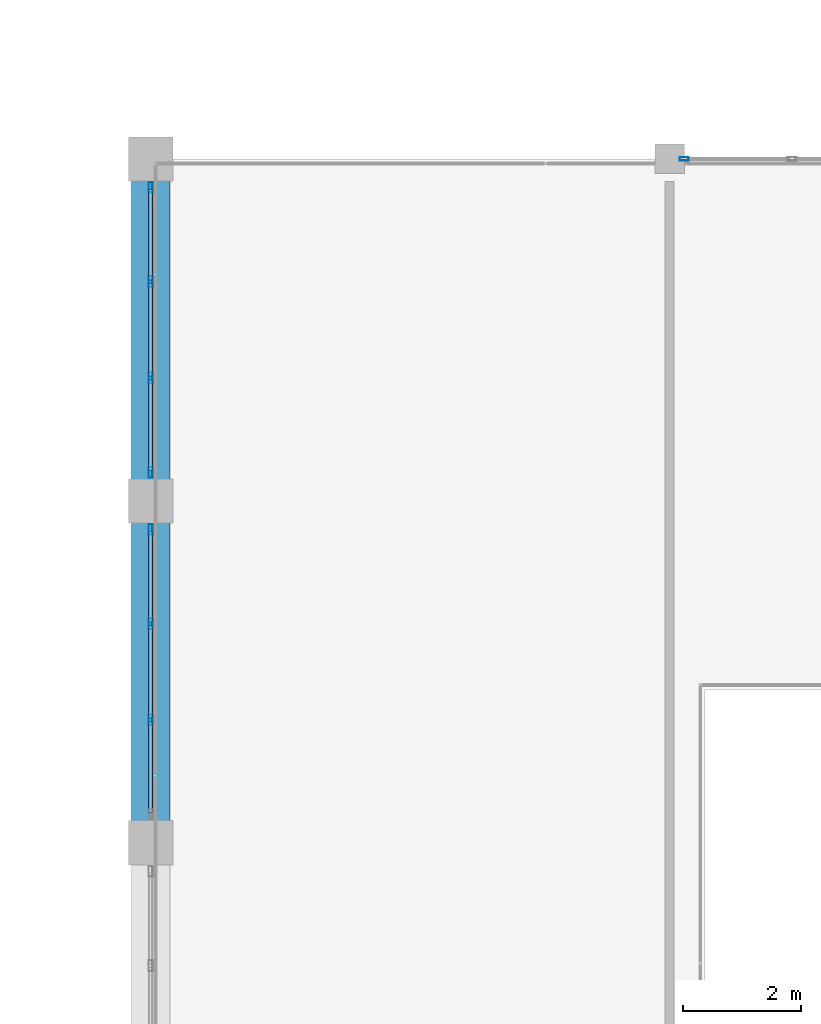
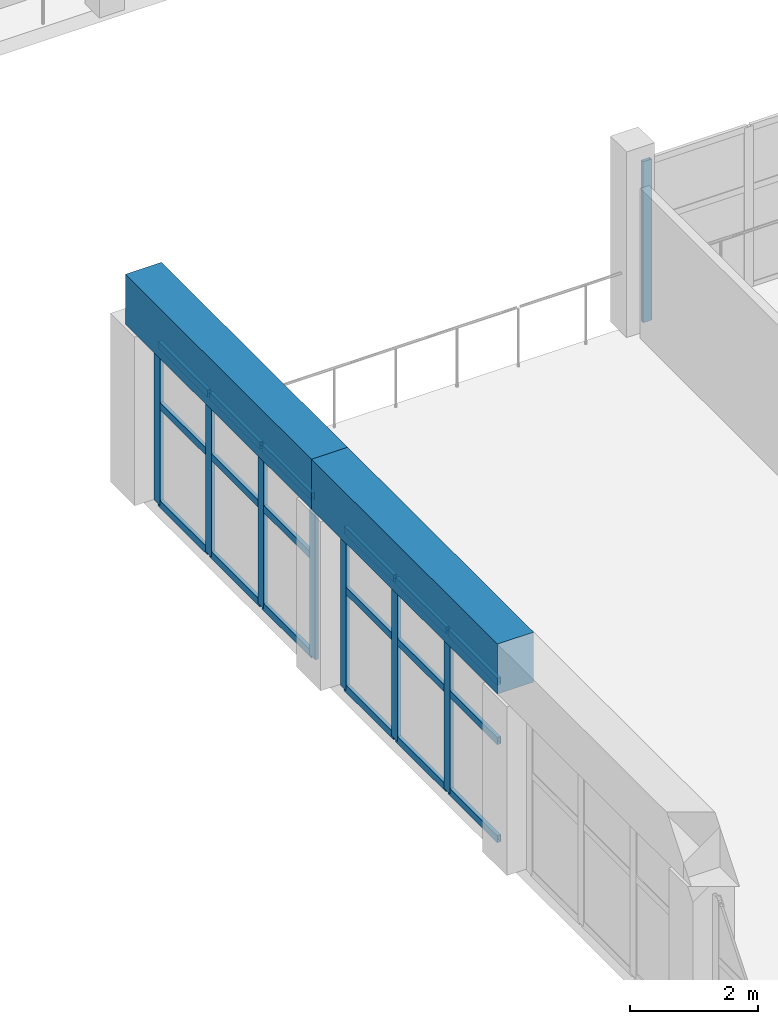
# One storey, part 43 of 128: 26 members, 2 beams, 3 elements without a shape of their own.
"""IFC4 building model written with IfcOpenShell, lengths in metres."""

from ifc_helpers import new_model, si_unit, direction, frame, origin, origin_2d, place, context, subcontext, project, spatial, rectangle, hollow_rectangle, extrude, material, material_profile, profile_set, type_object, element, aggregate, save


model = new_model("IFC4")

# Units and contexts
model_context = context("Model", 3, precision=1e-05, world=origin(), true_north=direction((0.0, 1.0)))
body_context = subcontext(model_context, "Body", "Model", "MODEL_VIEW")
ifc_project = project(units=[si_unit("LENGTHUNIT", "METRE"), si_unit("AREAUNIT", "SQUARE_METRE"), si_unit("VOLUMEUNIT", "CUBIC_METRE"), si_unit("PLANEANGLEUNIT", "RADIAN"), si_unit("MASSUNIT", "GRAM", prefix="KILO")], contexts=[model_context])

# Site, building, storey
site_placement = place(None, origin())
site = spatial("IfcSite", under=ifc_project, at=site_placement, CompositionType="ELEMENT")
building_placement = place(site_placement, origin())
building = spatial("IfcBuilding", under=site, at=building_placement, Name="Tanwirah Colonnade Gardens", CompositionType="ELEMENT")
storey_placement = place(building_placement, frame((0.0, 0.0, 4.760009765625)))
storey = spatial("IfcBuildingStorey", under=building, at=storey_placement, Name="L01", CompositionType="ELEMENT", Elevation=4.760009765625)

# Curtain wall, member
ifc_material_1 = material(Name="Bronze-anodised aluminium and solar-control low-E glass", Category="aluminium")
curtain_wall_type = type_object("IfcCurtainWallType", Name="CW-HALL", PredefinedType="NOTDEFINED", material=ifc_material_1)
curtain_wall_1_placement = place(storey_placement, origin())
curtain_wall_1 = element("IfcCurtainWall", 1, at=curtain_wall_1_placement, inside=storey, type_object=curtain_wall_type, Name="Curtain Wall CW-HALL-L01-N-1", PredefinedType="NOTDEFINED")
ifc_material_2 = material(Name="Bronze-anodised aluminium", Category="aluminium")
ifc_material_profile_1 = material_profile(ifc_material_2, hollow_rectangle(XDim=0.06005859375, YDim=0.159912109375, WallThickness=0.00390625, at=origin_2d()), Name="CW-MUL 60x160x4")
ifc_profile_set_1 = profile_set([ifc_material_profile_1], Name="Bronze-anodised aluminium")
member_type_1 = type_object("IfcMemberType", Name="CWM-60x160", PredefinedType="MULLION", material=ifc_profile_set_1)
member_1_placement = place(storey_placement, frame((87.050048828125, 80.39990234375, 0.0), z_axis=(0.0, 0.0, 1.0), x_axis=(0.0, 1.0, 0.0)))
member_1 = element("IfcMember", 2, at=member_1_placement, type_object=member_type_1, Name="CW-HALL mullion 1", PredefinedType="MULLION", context=body_context, shape_type="SweptSolid", body=[
    extrude(hollow_rectangle(XDim=0.06005859375, YDim=0.159912109375, WallThickness=0.00390625, at=origin_2d()), origin(), (0.0, 0.0, 1.0), 3.06005859375),
])
aggregate(curtain_wall_1, [member_1])

# Curtain wall, members
curtain_wall_2_placement = place(storey_placement, origin())
curtain_wall_2 = element("IfcCurtainWall", 3, at=curtain_wall_2_placement, inside=storey, type_object=curtain_wall_type, Name="Curtain Wall CW-HALL-L01-W-6", PredefinedType="NOTDEFINED")
ifc_material_profile_2 = material_profile(ifc_material_2, hollow_rectangle(XDim=0.06494140625, YDim=0.179931640625, WallThickness=0.00390625, at=origin_2d()), Name="CW-MUL 65x180x4")
ifc_profile_set_2 = profile_set([ifc_material_profile_2], Name="Bronze-anodised aluminium")
member_type_2 = type_object("IfcMemberType", Name="CWM-65x180", PredefinedType="MULLION", material=ifc_profile_set_2)
member_2_placement = place(storey_placement, frame((78.0, 70.88330078125, 0.0), z_axis=(0.0, 0.0, 1.0), x_axis=(-1.0, 0.0, 0.0)))
member_2 = element("IfcMember", 4, at=member_2_placement, type_object=member_type_2, Name="CW-HALL mullion 2", PredefinedType="MULLION", context=body_context, shape_type="SweptSolid", body=[
    extrude(hollow_rectangle(XDim=0.06494140625, YDim=0.179931640625, WallThickness=0.00390625, at=origin_2d()), origin(), (0.0, 0.0, 1.0), 3.06005859375),
])
member_3_placement = place(storey_placement, frame((78.0, 72.5166015625, 0.0), z_axis=(0.0, 0.0, 1.0), x_axis=(-1.0, 0.0, 0.0)))
member_3 = element("IfcMember", 5, at=member_3_placement, type_object=member_type_2, Name="CW-HALL mullion 3", PredefinedType="MULLION", context=body_context, shape_type="SweptSolid", body=[
    extrude(hollow_rectangle(XDim=0.06494140625, YDim=0.179931640625, WallThickness=0.00390625, at=origin_2d()), origin(), (0.0, 0.0, 1.0), 3.06005859375),
])
member_4_placement = place(storey_placement, frame((78.0, 74.117431640625, 0.0), z_axis=(0.0, 0.0, 1.0), x_axis=(-1.0, 0.0, 0.0)))
member_4 = element("IfcMember", 6, at=member_4_placement, type_object=member_type_2, Name="CW-HALL mullion 4", PredefinedType="MULLION", context=body_context, shape_type="SweptSolid", body=[
    extrude(hollow_rectangle(XDim=0.06494140625, YDim=0.179931640625, WallThickness=0.00390625, at=origin_2d()), origin(), (0.0, 0.0, 1.0), 3.06005859375),
])

curtain_wall_3_placement = place(storey_placement, origin())
curtain_wall_3 = element("IfcCurtainWall", 7, at=curtain_wall_3_placement, inside=storey, type_object=curtain_wall_type, Name="Curtain Wall CW-HALL-L01-W-7", PredefinedType="NOTDEFINED")
member_5_placement = place(storey_placement, frame((78.0, 75.08251953125, 0.0), z_axis=(0.0, 0.0, 1.0), x_axis=(-1.0, 0.0, 0.0)))
member_5 = element("IfcMember", 8, at=member_5_placement, type_object=member_type_2, Name="CW-HALL mullion 1", PredefinedType="MULLION", context=body_context, shape_type="SweptSolid", body=[
    extrude(hollow_rectangle(XDim=0.06494140625, YDim=0.179931640625, WallThickness=0.00390625, at=origin_2d()), origin(), (0.0, 0.0, 1.0), 3.06005859375),
])
member_6_placement = place(storey_placement, frame((78.0, 76.683349609375, 0.0), z_axis=(0.0, 0.0, 1.0), x_axis=(-1.0, 0.0, 0.0)))
member_6 = element("IfcMember", 9, at=member_6_placement, type_object=member_type_2, Name="CW-HALL mullion 2", PredefinedType="MULLION", context=body_context, shape_type="SweptSolid", body=[
    extrude(hollow_rectangle(XDim=0.06494140625, YDim=0.179931640625, WallThickness=0.00390625, at=origin_2d()), origin(), (0.0, 0.0, 1.0), 3.06005859375),
])
member_7_placement = place(storey_placement, frame((78.0, 78.316650390625, 0.0), z_axis=(0.0, 0.0, 1.0), x_axis=(-1.0, 0.0, 0.0)))
member_7 = element("IfcMember", 10, at=member_7_placement, type_object=member_type_2, Name="CW-HALL mullion 3", PredefinedType="MULLION", context=body_context, shape_type="SweptSolid", body=[
    extrude(hollow_rectangle(XDim=0.06494140625, YDim=0.179931640625, WallThickness=0.00390625, at=origin_2d()), origin(), (0.0, 0.0, 1.0), 3.06005859375),
])
member_8_placement = place(storey_placement, frame((78.0, 79.91748046875, 0.0), z_axis=(0.0, 0.0, 1.0), x_axis=(-1.0, 0.0, 0.0)))
member_8 = element("IfcMember", 11, at=member_8_placement, type_object=member_type_2, Name="CW-HALL mullion 4", PredefinedType="MULLION", context=body_context, shape_type="SweptSolid", body=[
    extrude(hollow_rectangle(XDim=0.06494140625, YDim=0.179931640625, WallThickness=0.00390625, at=origin_2d()), origin(), (0.0, 0.0, 1.0), 3.06005859375),
])

# Member
ifc_material_profile_3 = material_profile(ifc_material_2, hollow_rectangle(XDim=0.06494140625, YDim=0.135009765625, WallThickness=0.00390625, at=origin_2d()), Name="CW-TRN 65x135x4")
ifc_profile_set_3 = profile_set([ifc_material_profile_3], Name="Bronze-anodised aluminium")
member_type_3 = type_object("IfcMemberType", Name="CWT-65x135", PredefinedType="USERDEFINED", material=ifc_profile_set_3)
member_9_placement = place(storey_placement, frame((78.0, 69.31494140625, 0.032470703125), z_axis=(0.0, 1.0, 0.0), x_axis=(-1.0, 0.0, 0.0)))
member_9 = element("IfcMember", 12, at=member_9_placement, type_object=member_type_3, Name="CW-HALL transom 1.1", ObjectType="TRANSOM", PredefinedType="USERDEFINED", context=body_context, shape_type="SweptSolid", body=[
    extrude(hollow_rectangle(XDim=0.06494140625, YDim=0.135009765625, WallThickness=0.00390625, at=origin_2d()), origin(), (0.0, 0.0, 1.0), 1.535888671875),
])

member_10_placement = place(storey_placement, frame((78.0, 69.31494140625, 1.897216796875), z_axis=(0.0, 1.0, 0.0), x_axis=(-1.0, 0.0, 0.0)))
member_10 = element("IfcMember", 13, at=member_10_placement, type_object=member_type_3, Name="CW-HALL transom 1.2", ObjectType="TRANSOM", PredefinedType="USERDEFINED", context=body_context, shape_type="SweptSolid", body=[
    extrude(hollow_rectangle(XDim=0.06494140625, YDim=0.135009765625, WallThickness=0.00390625, at=origin_2d()), origin(), (0.0, 0.0, 1.0), 1.535888671875),
])

member_11_placement = place(storey_placement, frame((78.0, 69.31494140625, 3.027587890625), z_axis=(0.0, 1.0, 0.0), x_axis=(-1.0, 0.0, 0.0)))
member_11 = element("IfcMember", 14, at=member_11_placement, type_object=member_type_3, Name="CW-HALL transom 1.3", ObjectType="TRANSOM", PredefinedType="USERDEFINED", context=body_context, shape_type="SweptSolid", body=[
    extrude(hollow_rectangle(XDim=0.06494140625, YDim=0.135009765625, WallThickness=0.00390625, at=origin_2d()), origin(), (0.0, 0.0, 1.0), 1.535888671875),
])

member_12_placement = place(storey_placement, frame((78.0, 70.915771484375, 0.032470703125), z_axis=(0.0, 1.0, 0.0), x_axis=(-1.0, 0.0, 0.0)))
member_12 = element("IfcMember", 15, at=member_12_placement, type_object=member_type_3, Name="CW-HALL transom 2.1", ObjectType="TRANSOM", PredefinedType="USERDEFINED", context=body_context, shape_type="SweptSolid", body=[
    extrude(hollow_rectangle(XDim=0.06494140625, YDim=0.135009765625, WallThickness=0.00390625, at=origin_2d()), origin(), (0.0, 0.0, 1.0), 1.568359375),
])

member_13_placement = place(storey_placement, frame((78.0, 70.915771484375, 1.897216796875), z_axis=(0.0, 1.0, 0.0), x_axis=(-1.0, 0.0, 0.0)))
member_13 = element("IfcMember", 16, at=member_13_placement, type_object=member_type_3, Name="CW-HALL transom 2.2", ObjectType="TRANSOM", PredefinedType="USERDEFINED", context=body_context, shape_type="SweptSolid", body=[
    extrude(hollow_rectangle(XDim=0.06494140625, YDim=0.135009765625, WallThickness=0.00390625, at=origin_2d()), origin(), (0.0, 0.0, 1.0), 1.568359375),
])

member_14_placement = place(storey_placement, frame((78.0, 70.915771484375, 3.027587890625), z_axis=(0.0, 1.0, 0.0), x_axis=(-1.0, 0.0, 0.0)))
member_14 = element("IfcMember", 17, at=member_14_placement, type_object=member_type_3, Name="CW-HALL transom 2.3", ObjectType="TRANSOM", PredefinedType="USERDEFINED", context=body_context, shape_type="SweptSolid", body=[
    extrude(hollow_rectangle(XDim=0.06494140625, YDim=0.135009765625, WallThickness=0.00390625, at=origin_2d()), origin(), (0.0, 0.0, 1.0), 1.568359375),
])

member_15_placement = place(storey_placement, frame((78.0, 72.549072265625, 0.032470703125), z_axis=(0.0, 1.0, 0.0), x_axis=(-1.0, 0.0, 0.0)))
member_15 = element("IfcMember", 18, at=member_15_placement, type_object=member_type_3, Name="CW-HALL transom 3.1", ObjectType="TRANSOM", PredefinedType="USERDEFINED", context=body_context, shape_type="SweptSolid", body=[
    extrude(hollow_rectangle(XDim=0.06494140625, YDim=0.135009765625, WallThickness=0.00390625, at=origin_2d()), origin(), (0.0, 0.0, 1.0), 1.535888671875),
])

member_16_placement = place(storey_placement, frame((78.0, 72.549072265625, 1.897216796875), z_axis=(0.0, 1.0, 0.0), x_axis=(-1.0, 0.0, 0.0)))
member_16 = element("IfcMember", 19, at=member_16_placement, type_object=member_type_3, Name="CW-HALL transom 3.2", ObjectType="TRANSOM", PredefinedType="USERDEFINED", context=body_context, shape_type="SweptSolid", body=[
    extrude(hollow_rectangle(XDim=0.06494140625, YDim=0.135009765625, WallThickness=0.00390625, at=origin_2d()), origin(), (0.0, 0.0, 1.0), 1.535888671875),
])

member_17_placement = place(storey_placement, frame((78.0, 72.549072265625, 3.027587890625), z_axis=(0.0, 1.0, 0.0), x_axis=(-1.0, 0.0, 0.0)))
member_17 = element("IfcMember", 20, at=member_17_placement, type_object=member_type_3, Name="CW-HALL transom 3.3", ObjectType="TRANSOM", PredefinedType="USERDEFINED", context=body_context, shape_type="SweptSolid", body=[
    extrude(hollow_rectangle(XDim=0.06494140625, YDim=0.135009765625, WallThickness=0.00390625, at=origin_2d()), origin(), (0.0, 0.0, 1.0), 1.535888671875),
])

aggregate(curtain_wall_2, [member_2, member_3, member_4, member_9, member_10, member_11, member_12, member_13, member_14, member_15, member_16, member_17])

member_18_placement = place(storey_placement, frame((78.0, 75.114990234375, 0.032470703125), z_axis=(0.0, 1.0, 0.0), x_axis=(-1.0, 0.0, 0.0)))
member_18 = element("IfcMember", 21, at=member_18_placement, type_object=member_type_3, Name="CW-HALL transom 1.1", ObjectType="TRANSOM", PredefinedType="USERDEFINED", context=body_context, shape_type="SweptSolid", body=[
    extrude(hollow_rectangle(XDim=0.06494140625, YDim=0.135009765625, WallThickness=0.00390625, at=origin_2d()), origin(), (0.0, 0.0, 1.0), 1.535888671875),
])

member_19_placement = place(storey_placement, frame((78.0, 75.114990234375, 1.897216796875), z_axis=(0.0, 1.0, 0.0), x_axis=(-1.0, 0.0, 0.0)))
member_19 = element("IfcMember", 22, at=member_19_placement, type_object=member_type_3, Name="CW-HALL transom 1.2", ObjectType="TRANSOM", PredefinedType="USERDEFINED", context=body_context, shape_type="SweptSolid", body=[
    extrude(hollow_rectangle(XDim=0.06494140625, YDim=0.135009765625, WallThickness=0.00390625, at=origin_2d()), origin(), (0.0, 0.0, 1.0), 1.535888671875),
])

member_20_placement = place(storey_placement, frame((78.0, 75.114990234375, 3.027587890625), z_axis=(0.0, 1.0, 0.0), x_axis=(-1.0, 0.0, 0.0)))
member_20 = element("IfcMember", 23, at=member_20_placement, type_object=member_type_3, Name="CW-HALL transom 1.3", ObjectType="TRANSOM", PredefinedType="USERDEFINED", context=body_context, shape_type="SweptSolid", body=[
    extrude(hollow_rectangle(XDim=0.06494140625, YDim=0.135009765625, WallThickness=0.00390625, at=origin_2d()), origin(), (0.0, 0.0, 1.0), 1.535888671875),
])

member_21_placement = place(storey_placement, frame((78.0, 76.7158203125, 0.032470703125), z_axis=(0.0, 1.0, 0.0), x_axis=(-1.0, 0.0, 0.0)))
member_21 = element("IfcMember", 24, at=member_21_placement, type_object=member_type_3, Name="CW-HALL transom 2.1", ObjectType="TRANSOM", PredefinedType="USERDEFINED", context=body_context, shape_type="SweptSolid", body=[
    extrude(hollow_rectangle(XDim=0.06494140625, YDim=0.135009765625, WallThickness=0.00390625, at=origin_2d()), origin(), (0.0, 0.0, 1.0), 1.568359375),
])

member_22_placement = place(storey_placement, frame((78.0, 76.7158203125, 1.897216796875), z_axis=(0.0, 1.0, 0.0), x_axis=(-1.0, 0.0, 0.0)))
member_22 = element("IfcMember", 25, at=member_22_placement, type_object=member_type_3, Name="CW-HALL transom 2.2", ObjectType="TRANSOM", PredefinedType="USERDEFINED", context=body_context, shape_type="SweptSolid", body=[
    extrude(hollow_rectangle(XDim=0.06494140625, YDim=0.135009765625, WallThickness=0.00390625, at=origin_2d()), origin(), (0.0, 0.0, 1.0), 1.568359375),
])

member_23_placement = place(storey_placement, frame((78.0, 76.7158203125, 3.027587890625), z_axis=(0.0, 1.0, 0.0), x_axis=(-1.0, 0.0, 0.0)))
member_23 = element("IfcMember", 26, at=member_23_placement, type_object=member_type_3, Name="CW-HALL transom 2.3", ObjectType="TRANSOM", PredefinedType="USERDEFINED", context=body_context, shape_type="SweptSolid", body=[
    extrude(hollow_rectangle(XDim=0.06494140625, YDim=0.135009765625, WallThickness=0.00390625, at=origin_2d()), origin(), (0.0, 0.0, 1.0), 1.568359375),
])

member_24_placement = place(storey_placement, frame((78.0, 78.34912109375, 0.032470703125), z_axis=(0.0, 1.0, 0.0), x_axis=(-1.0, 0.0, 0.0)))
member_24 = element("IfcMember", 27, at=member_24_placement, type_object=member_type_3, Name="CW-HALL transom 3.1", ObjectType="TRANSOM", PredefinedType="USERDEFINED", context=body_context, shape_type="SweptSolid", body=[
    extrude(hollow_rectangle(XDim=0.06494140625, YDim=0.135009765625, WallThickness=0.00390625, at=origin_2d()), origin(), (0.0, 0.0, 1.0), 1.535888671875),
])

member_25_placement = place(storey_placement, frame((78.0, 78.34912109375, 1.897216796875), z_axis=(0.0, 1.0, 0.0), x_axis=(-1.0, 0.0, 0.0)))
member_25 = element("IfcMember", 28, at=member_25_placement, type_object=member_type_3, Name="CW-HALL transom 3.2", ObjectType="TRANSOM", PredefinedType="USERDEFINED", context=body_context, shape_type="SweptSolid", body=[
    extrude(hollow_rectangle(XDim=0.06494140625, YDim=0.135009765625, WallThickness=0.00390625, at=origin_2d()), origin(), (0.0, 0.0, 1.0), 1.535888671875),
])

member_26_placement = place(storey_placement, frame((78.0, 78.34912109375, 3.027587890625), z_axis=(0.0, 1.0, 0.0), x_axis=(-1.0, 0.0, 0.0)))
member_26 = element("IfcMember", 29, at=member_26_placement, type_object=member_type_3, Name="CW-HALL transom 3.3", ObjectType="TRANSOM", PredefinedType="USERDEFINED", context=body_context, shape_type="SweptSolid", body=[
    extrude(hollow_rectangle(XDim=0.06494140625, YDim=0.135009765625, WallThickness=0.00390625, at=origin_2d()), origin(), (0.0, 0.0, 1.0), 1.535888671875),
])

aggregate(curtain_wall_3, [member_5, member_6, member_7, member_8, member_18, member_19, member_20, member_21, member_22, member_23, member_24, member_25, member_26])

# Beams
ifc_material_3 = material(Name="Concrete C45/55", Category="concrete")
ifc_material_profile_4 = material_profile(ifc_material_3, rectangle(XDim=0.64990234375, YDim=0.949951171875, at=origin_2d()), Name="RC-RB 650x950")
ifc_profile_set_4 = profile_set([ifc_material_profile_4], Name="Concrete C45/55")
beam_type = type_object("IfcBeamType", Name="RB-V650", PredefinedType="BEAM", material=ifc_profile_set_4)
beam_1_placement = place(storey_placement, frame((78.0, 68.800048828125, 3.68505859375), z_axis=(0.0, 1.0, 0.0), x_axis=(-1.0, 0.0, 0.0)))
element("IfcBeam", 30, at=beam_1_placement, inside=storey, type_object=beam_type, Name="Community Hall Vault Ring Beam W-6", PredefinedType="BEAM", context=body_context, shape_type="SweptSolid", body=[
    extrude(rectangle(XDim=0.64990234375, YDim=0.949951171875, at=origin_2d()), origin(), (0.0, 0.0, 1.0), 5.800048828125),
])
beam_2_placement = place(storey_placement, frame((78.0, 74.60009765625, 3.68505859375), z_axis=(0.0, 1.0, 0.0), x_axis=(-1.0, 0.0, 0.0)))
element("IfcBeam", 31, at=beam_2_placement, inside=storey, type_object=beam_type, Name="Community Hall Vault Ring Beam W-7", PredefinedType="BEAM", context=body_context, shape_type="SweptSolid", body=[
    extrude(rectangle(XDim=0.64990234375, YDim=0.949951171875, at=origin_2d()), origin(), (0.0, 0.0, 1.0), 5.7998046875),
])

save(model, "model.ifc")
